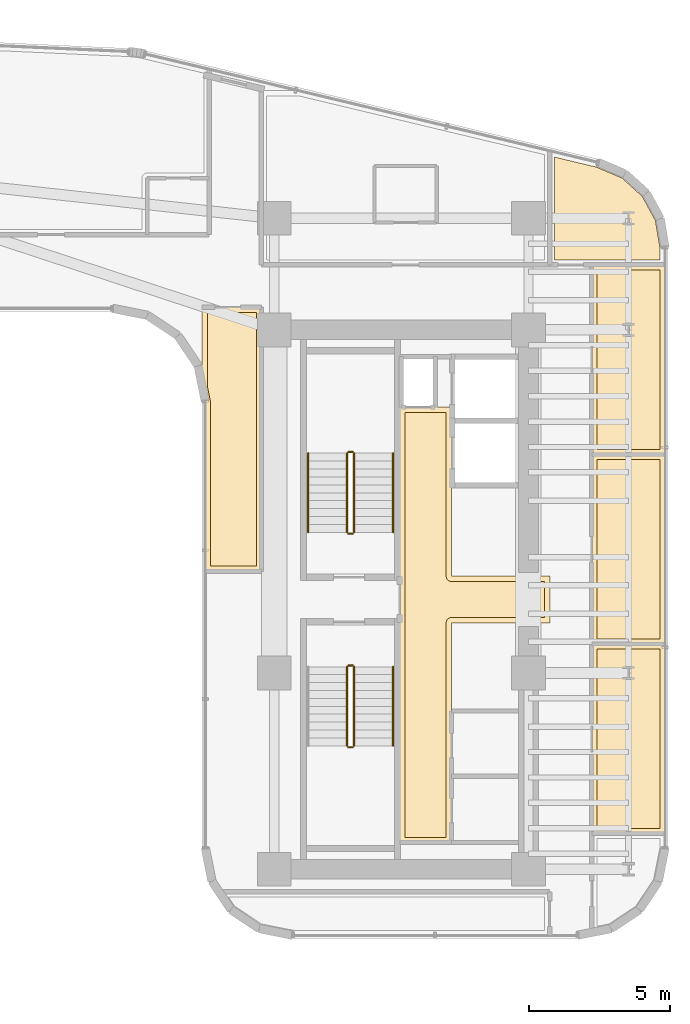
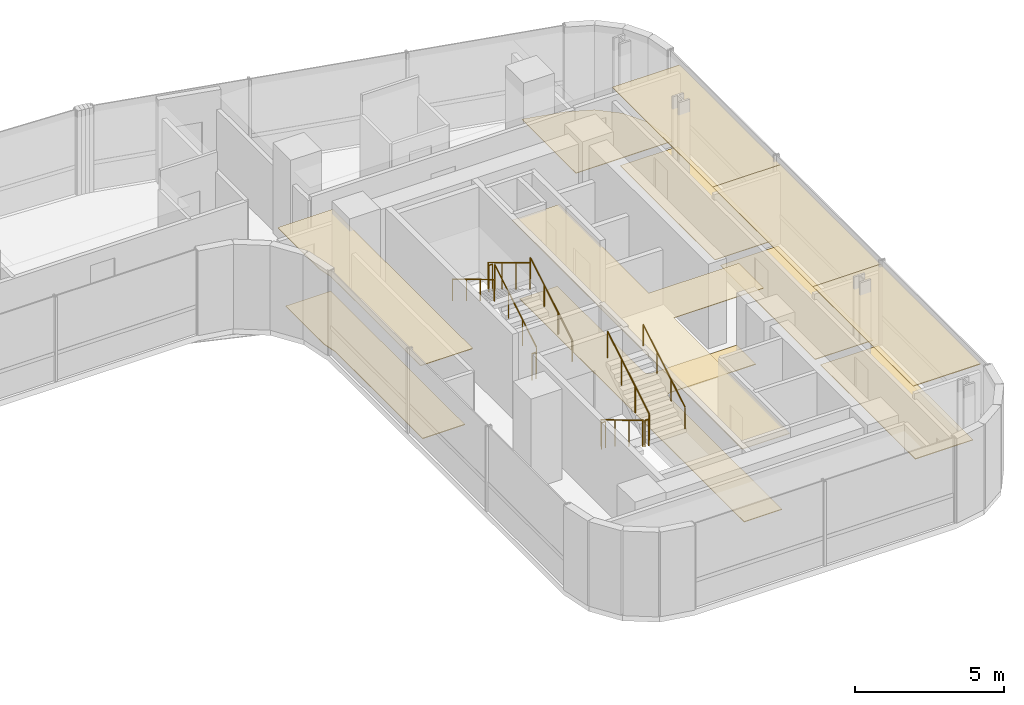
# One storey, part 34 of 35: 11 coverings, 11 railings.
"""IFC4 building model written with IfcOpenShell, lengths in metres."""

import ifcopenshell
import ifcopenshell.guid

model = None  # the IFC model being written
_history = None  # IfcOwnerHistory: only IFC2X3 demands one
_inside = {}  # id of a spatial element -> (the spatial element, [elements in it])
_under = {}  # id of a project, library or spatial element -> (it, [spatial elements below it])
_declared = {}  # id of a project -> (the project, [libraries it declares])
_typed = {}  # id of a type object -> (the type object, [elements of that type])
_made_of = {}  # id of a material, layer set ... -> (it, [elements and type objects made of it])


def new_model(schema):
    """Start an empty IFC model of exactly this schema.

    Asked for "IFC4X3", IfcOpenShell would pick the latest addendum, in which some entities
    have other attributes; the version numbers below select the first issue.
    IFC2X3 requires an IfcOwnerHistory on every rooted entity: one is made here for all.
    """
    global model, _history
    if schema == "IFC4X3":
        model = ifcopenshell.file(schema_version=(4, 3, 0, 0))
    else:
        model = ifcopenshell.file(schema=schema)
    _inside.clear()
    _under.clear()
    _declared.clear()
    _typed.clear()
    _made_of.clear()
    _history = None
    if model.schema == "IFC2X3":
        org = make("IfcOrganization", Name="unknown")
        user = make(
            "IfcPersonAndOrganization",
            ThePerson=make("IfcPerson", FamilyName="unknown"),
            TheOrganization=org,
        )
        app = make(
            "IfcApplication",
            ApplicationDeveloper=org,
            Version="unknown",
            ApplicationFullName="unknown",
            ApplicationIdentifier="unknown",
        )
        _history = make(
            "IfcOwnerHistory",
            OwningUser=user,
            OwningApplication=app,
            ChangeAction="ADDED",
            CreationDate=0,
        )
    return model


def make(cls, **values):
    """One entity of the class cls with the attributes given. An attribute that is None is left unset."""
    return model.create_entity(
        cls, **{name: value for name, value in values.items() if value is not None}
    )


def rooted(cls, **values):
    """An entity with a GlobalId (a new one), such as an element, a storey or a relation."""
    return make(cls, GlobalId=ifcopenshell.guid.new(), OwnerHistory=_history, **values)


def si_unit(unit_type, name, prefix=None):
    """IfcSIUnit, for example si_unit("LENGTHUNIT", "METRE", prefix="MILLI")."""
    return make("IfcSIUnit", UnitType=unit_type, Prefix=prefix, Name=name)


def assignment(units):
    """IfcUnitAssignment: the units of a project."""
    return None if units is None else make("IfcUnitAssignment", Units=units)


def point(xyz):
    """IfcCartesianPoint."""
    return None if xyz is None else make("IfcCartesianPoint", Coordinates=xyz)


def direction(xyz):
    """IfcDirection."""
    return None if xyz is None else make("IfcDirection", DirectionRatios=xyz)


def frame(location, z_axis=None, x_axis=None):
    """IfcAxis2Placement3D, a coordinate frame: its origin and axes. An axis left out is left unset."""
    return make(
        "IfcAxis2Placement3D",
        Location=point(location),
        Axis=direction(z_axis),
        RefDirection=direction(x_axis),
    )


def frame_2d(location, x_axis=None):
    """IfcAxis2Placement2D, a coordinate frame in the plane: its origin and x axis."""
    return make(
        "IfcAxis2Placement2D", Location=point(location), RefDirection=direction(x_axis)
    )


def origin():
    """The frame at (0, 0, 0) with its axes left unset."""
    return frame((0.0, 0.0, 0.0))


def origin_2d():
    """The frame at (0, 0) in the plane with its x axis left unset."""
    return frame_2d((0.0, 0.0))


def place(relative_to, where):
    """IfcLocalPlacement: puts the frame where relative to a parent placement (None: the world)."""
    return make(
        "IfcLocalPlacement", PlacementRelTo=relative_to, RelativePlacement=where
    )


def context(
    kind, dimensions, precision=None, world=None, true_north=None, identifier=None
):
    """IfcGeometricRepresentationContext, for example the 3D "Model" context."""
    return make(
        "IfcGeometricRepresentationContext",
        ContextIdentifier=identifier,
        ContextType=kind,
        CoordinateSpaceDimension=dimensions,
        Precision=precision,
        WorldCoordinateSystem=world,
        TrueNorth=true_north,
    )


def subcontext(parent, identifier, kind, view, scale=None):
    """IfcGeometricRepresentationSubContext, for example "Body" below "Model"."""
    return make(
        "IfcGeometricRepresentationSubContext",
        ContextIdentifier=identifier,
        ContextType=kind,
        ParentContext=parent,
        TargetScale=scale,
        TargetView=view,
    )


def project(units=None, contexts=None):
    """IfcProject with its units and contexts."""
    return rooted(
        "IfcProject",
        Name="project",
        RepresentationContexts=contexts,
        UnitsInContext=assignment(units),
    )


def spatial(cls, under=None, at=None, **own):
    """A site, building, storey or space (cls), placed at a placement, below another one or the project."""
    s = rooted(cls, ObjectPlacement=at, **own)
    if under is not None:
        _under.setdefault(under.id(), (under, []))[1].append(s)
    return s


def polyline(points):
    """IfcPolyline through the points."""
    return make("IfcPolyline", Points=[point(p) for p in points])


def profile(cls, at=None, kind="AREA", **sizes):
    """A parametric profile (cls). Its sizes go by their IFC names, for example OverallWidth=200.0."""
    return make(cls, ProfileType=kind, Position=at, **sizes)


def circle(**sizes):
    """IfcCircleProfileDef."""
    return profile("IfcCircleProfileDef", **sizes)


def outline(outer, holes=None, kind="AREA"):
    """IfcArbitraryClosedProfileDef: a profile drawn as a closed curve; with holes, ...WithVoids."""
    if holes is None:
        return make("IfcArbitraryClosedProfileDef", ProfileType=kind, OuterCurve=outer)
    return make(
        "IfcArbitraryProfileDefWithVoids",
        ProfileType=kind,
        OuterCurve=outer,
        InnerCurves=holes,
    )


def extrude(swept, where, along, depth):
    """IfcExtrudedAreaSolid: the profile swept, set in the frame where, extruded along a direction by depth."""
    return make(
        "IfcExtrudedAreaSolid",
        SweptArea=swept,
        Position=where,
        ExtrudedDirection=direction(along),
        Depth=depth,
    )


def shape(context_of_items, identifier, shape_type, items):
    """IfcShapeRepresentation: the items that make up one representation, for example the "Body"."""
    return make(
        "IfcShapeRepresentation",
        ContextOfItems=context_of_items,
        RepresentationIdentifier=identifier,
        RepresentationType=shape_type,
        Items=items,
    )


def material(Name=None, Category=None):
    """IfcMaterial."""
    return make("IfcMaterial", Name=Name, Category=Category)


def layer(
    of_material, thickness, ventilated=None, Name=None, Category=None, Priority=None
):
    """IfcMaterialLayer: one layer of a wall or slab, of a material (None: an air gap)."""
    return make(
        "IfcMaterialLayer",
        Material=of_material,
        LayerThickness=thickness,
        IsVentilated=ventilated,
        Name=Name,
        Category=Category,
        Priority=Priority,
    )


def layer_set(layers, Name=None):
    """IfcMaterialLayerSet."""
    return make("IfcMaterialLayerSet", MaterialLayers=layers, LayerSetName=Name)


def made_of(thing, what):
    """Note that an element or type object is made of a material, layer set ...; save() writes the relation."""
    if what is not None:
        _made_of.setdefault(what.id(), (what, []))[1].append(thing)
    return thing


def type_object(cls, material=None, **own):
    """A type object (cls), such as IfcWallType, which elements share."""
    return made_of(rooted(cls, **own), material)


def element(
    cls,
    number,
    at=None,
    inside=None,
    cuts=None,
    type_object=None,
    material=None,
    context=None,
    identifier="Body",
    shape_type=None,
    held_by="IfcProductDefinitionShape",
    body=None,
    shapes=None,
    **own,
):
    """One element of the class cls, such as IfcWall. Its Tag is "e" and its number.

    at: its placement. inside: the storey or other place that contains it. cuts: it is an
    opening in that element (IfcRelVoidsElement). A single representation is given by context,
    identifier, shape_type and body (its items); several are given by shapes. held_by: the class
    of the entity that holds the representations. save() writes the other relations.
    """
    e = rooted(cls, Tag="e%d" % number, ObjectPlacement=at, **own)
    if body is not None:
        shapes = [shape(context, identifier, shape_type, body)]
    if shapes is not None:
        e.Representation = make(held_by, Representations=shapes)
    if inside is not None:
        _inside.setdefault(inside.id(), (inside, []))[1].append(e)
    if cuts is not None:
        rooted(
            "IfcRelVoidsElement", RelatingBuildingElement=cuts, RelatedOpeningElement=e
        )
    if type_object is not None:
        _typed.setdefault(type_object.id(), (type_object, []))[1].append(e)
    return made_of(e, material)


def aggregate(whole, parts):
    """IfcRelAggregates: a whole, such as a stair, and the parts it consists of."""
    return rooted("IfcRelAggregates", RelatingObject=whole, RelatedObjects=parts)


def save(model, path):
    """Write the relations noted so far, then the file.

    IfcRelAggregates (storeys below a building ...), IfcRelContainedInSpatialStructure (elements
    in a storey), IfcRelDefinesByType, IfcRelAssociatesMaterial and IfcRelDeclares: one each for
    every whole, place, type object, material and project.
    """
    for whole, parts in _under.values():
        aggregate(whole, parts)
    for where, things in _inside.values():
        rooted(
            "IfcRelContainedInSpatialStructure",
            RelatedElements=things,
            RelatingStructure=where,
        )
    for kind, things in _typed.values():
        rooted("IfcRelDefinesByType", RelatedObjects=things, RelatingType=kind)
    for what, things in _made_of.values():
        rooted("IfcRelAssociatesMaterial", RelatedObjects=things, RelatingMaterial=what)
    for by, libraries in _declared.values():
        rooted("IfcRelDeclares", RelatingContext=by, RelatedDefinitions=libraries)
    model.write(path)


model = new_model("IFC4")

# Units and contexts
model_context = context("Model", 3, precision=1e-05, world=origin(), true_north=direction((0.0, 1.0)))
body_context = subcontext(model_context, "Body", "Model", "MODEL_VIEW")
ifc_project = project(units=[si_unit("LENGTHUNIT", "METRE"), si_unit("AREAUNIT", "SQUARE_METRE"), si_unit("VOLUMEUNIT", "CUBIC_METRE"), si_unit("PLANEANGLEUNIT", "RADIAN"), si_unit("MASSUNIT", "GRAM", prefix="KILO")], contexts=[model_context])

# Site, building, storey
site_placement = place(None, origin())
site = spatial("IfcSite", under=ifc_project, at=site_placement, CompositionType="ELEMENT")
building_placement = place(site_placement, origin())
building = spatial("IfcBuilding", under=site, at=building_placement, Name="Valdorenza Pilgrim Sanctuary Tower", CompositionType="ELEMENT")
storey_placement = place(building_placement, frame((0.0, 0.0, 116.800048828125)))
storey = spatial("IfcBuildingStorey", under=building, at=storey_placement, Name="L29", CompositionType="ELEMENT", Elevation=116.800048828125)

# Coverings
ifc_material_1 = material(Name="Micro-perforated acoustic mineral ceiling tile", Category="gypsum")
ifc_layer_1 = layer(ifc_material_1, 0.02490234375, Name="Micro-perforated acoustic mineral ceiling tile")
ifc_layer_set_1 = layer_set([ifc_layer_1], Name="Micro-perforated acoustic mineral ceiling tile")
covering_type_1 = type_object("IfcCoveringType", Name="COV-CLG-ACU", PredefinedType="CEILING", material=ifc_layer_set_1)
covering_1_placement = place(storey_placement, frame((0.0, 0.0, 3.159912109375)))
element("IfcCovering", 1, at=covering_1_placement, inside=storey, type_object=covering_type_1, Name="L29 Core B Passenger Lift Lobby Acoustic Ceiling", PredefinedType="CEILING", context=body_context, shape_type="SweptSolid", body=[
    extrude(outline(polyline([(20.287109375, -0.814697265625), (20.287109375, 0.814697265625), (20.28662109375, 0.815185546875), (20.2861328125, 0.81640625), (20.28564453125, 0.81787109375), (20.285400390625, 0.819091796875), (20.28515625, 0.820556640625), (20.284912109375, 0.822021484375), (20.284912109375, 6.800048828125), (20.28515625, 6.801513671875), (20.285400390625, 6.802978515625), (20.28564453125, 6.804443359375), (20.2861328125, 6.8056640625), (20.286865234375, 6.80712890625), (20.28759765625, 6.808349609375), (20.288330078125, 6.8095703125), (20.289306640625, 6.810546875), (20.29052734375, 6.8115234375), (20.291748046875, 6.8125), (20.29296875, 6.813232421875), (20.294189453125, 6.81396484375), (20.295654296875, 6.814453125), (20.297119140625, 6.814697265625), (20.298583984375, 6.81494140625), (20.300048828125, 6.81494140625), (20.347900390625, 6.81494140625), (20.349365234375, 6.81494140625), (20.350830078125, 6.814697265625), (20.352294921875, 6.814453125), (20.353515625, 6.81396484375), (20.35498046875, 6.813232421875), (20.35546875, 6.81298828125), (21.544677734375, 6.81298828125), (21.545166015625, 6.813232421875), (21.54638671875, 6.81396484375), (21.5478515625, 6.814453125), (21.54931640625, 6.814697265625), (21.550537109375, 6.81494140625), (21.552001953125, 6.81494140625), (22.1201171875, 6.81494140625), (22.12158203125, 6.81494140625), (22.122802734375, 6.814697265625), (22.12451171875, 6.814453125), (22.125732421875, 6.81396484375), (22.127197265625, 6.813232421875), (22.12841796875, 6.8125), (22.12939453125, 6.8115234375), (22.130615234375, 6.810546875), (22.131591796875, 6.8095703125), (22.132568359375, 6.808349609375), (22.13330078125, 6.80712890625), (22.1337890625, 6.8056640625), (22.134521484375, 6.804443359375), (22.134765625, 6.802978515625), (22.135009765625, 6.801513671875), (22.135009765625, 6.800048828125), (22.135009765625, 0.8349609375), (25.60009765625, 0.8349609375), (25.6015625, 0.8349609375), (25.602783203125, 0.834716796875), (25.6044921875, 0.83447265625), (25.605712890625, 0.833984375), (25.607177734375, 0.833251953125), (25.6083984375, 0.83251953125), (25.609619140625, 0.83154296875), (25.610595703125, 0.83056640625), (25.611572265625, 0.82958984375), (25.612548828125, 0.828369140625), (25.61328125, 0.8271484375), (25.614013671875, 0.82568359375), (25.614501953125, 0.824462890625), (25.61474609375, 0.822998046875), (25.614990234375, 0.821533203125), (25.614990234375, 0.820068359375), (25.614990234375, -0.820068359375), (25.614990234375, -0.821533203125), (25.61474609375, -0.822998046875), (25.614501953125, -0.824462890625), (25.614013671875, -0.82568359375), (25.61328125, -0.8271484375), (25.612548828125, -0.828369140625), (25.611572265625, -0.82958984375), (25.610595703125, -0.83056640625), (25.609619140625, -0.83154296875), (25.6083984375, -0.83251953125), (25.607177734375, -0.833251953125), (25.605712890625, -0.833984375), (25.6044921875, -0.83447265625), (25.602783203125, -0.834716796875), (25.6015625, -0.8349609375), (25.60009765625, -0.8349609375), (22.135009765625, -0.8349609375), (22.135009765625, -8.60009765625), (22.135009765625, -8.6015625), (22.134765625, -8.602783203125), (22.134521484375, -8.6044921875), (22.1337890625, -8.605712890625), (22.13330078125, -8.607177734375), (22.132568359375, -8.6083984375), (22.131591796875, -8.609619140625), (22.130615234375, -8.610595703125), (22.12939453125, -8.611572265625), (22.12841796875, -8.612548828125), (22.127197265625, -8.61328125), (22.125732421875, -8.614013671875), (22.12451171875, -8.614501953125), (22.122802734375, -8.61474609375), (22.12158203125, -8.614990234375), (22.1201171875, -8.614990234375), (20.300048828125, -8.614990234375), (20.298583984375, -8.614990234375), (20.297119140625, -8.61474609375), (20.295654296875, -8.614501953125), (20.294189453125, -8.614013671875), (20.29296875, -8.61328125), (20.291748046875, -8.612548828125), (20.29052734375, -8.611572265625), (20.289306640625, -8.610595703125), (20.288330078125, -8.609619140625), (20.28759765625, -8.6083984375), (20.286865234375, -8.607177734375), (20.2861328125, -8.605712890625), (20.28564453125, -8.6044921875), (20.285400390625, -8.602783203125), (20.28515625, -8.6015625), (20.284912109375, -8.60009765625), (20.284912109375, -0.822021484375), (20.28515625, -0.820556640625), (20.285400390625, -0.819091796875), (20.28564453125, -0.81787109375), (20.2861328125, -0.81640625), (20.28662109375, -0.815185546875), (20.287109375, -0.814697265625)])), origin(), (0.0, 0.0, 1.0), 0.025146484375),
])
covering_2_placement = place(storey_placement, frame((0.0, 0.0, 3.159912109375)))
element("IfcCovering", 2, at=covering_2_placement, inside=storey, type_object=covering_type_1, Name="L29 East Sanctuary Scholar Office L29-EG2 Acoustic Ceiling", PredefinedType="CEILING", context=body_context, shape_type="SweptSolid", body=[
    extrude(outline(polyline([(27.0849609375, -1.574951171875), (27.085205078125, -1.573486328125), (27.085205078125, -1.572021484375), (27.085693359375, -1.570556640625), (27.086181640625, -1.5693359375), (27.0869140625, -1.56787109375), (27.08740234375, -1.566650390625), (27.08837890625, -1.5654296875), (27.08935546875, -1.564453125), (27.090576171875, -1.5634765625), (27.091796875, -1.5625), (27.093017578125, -1.561767578125), (27.09423828125, -1.56103515625), (27.095703125, -1.560546875), (27.09716796875, -1.560302734375), (27.098388671875, -1.56005859375), (27.10009765625, -1.56005859375), (29.68994140625, -1.56005859375), (29.69140625, -1.56005859375), (29.69287109375, -1.560302734375), (29.6943359375, -1.560546875), (29.69580078125, -1.56103515625), (29.697021484375, -1.561767578125), (29.6982421875, -1.5625), (29.699462890625, -1.5634765625), (29.70068359375, -1.564453125), (29.70166015625, -1.5654296875), (29.702392578125, -1.566650390625), (29.703125, -1.56787109375), (29.703857421875, -1.5693359375), (29.704345703125, -1.570556640625), (29.70458984375, -1.572021484375), (29.704833984375, -1.573486328125), (29.705078125, -1.574951171875), (29.705078125, -8.284912109375), (29.704833984375, -8.28662109375), (29.70458984375, -8.287841796875), (29.704345703125, -8.289306640625), (29.703857421875, -8.290771484375), (29.703125, -8.2919921875), (29.702392578125, -8.293212890625), (29.70166015625, -8.29443359375), (29.70068359375, -8.295654296875), (29.699462890625, -8.296630859375), (29.6982421875, -8.297607421875), (29.697021484375, -8.298095703125), (29.69580078125, -8.298828125), (29.6943359375, -8.29931640625), (29.69287109375, -8.2998046875), (29.69140625, -8.2998046875), (29.68994140625, -8.300048828125), (27.10009765625, -8.300048828125), (27.098388671875, -8.2998046875), (27.09716796875, -8.2998046875), (27.095703125, -8.29931640625), (27.09423828125, -8.298828125), (27.093017578125, -8.298095703125), (27.091796875, -8.297607421875), (27.090576171875, -8.296630859375), (27.08935546875, -8.295654296875), (27.08837890625, -8.29443359375), (27.08740234375, -8.293212890625), (27.0869140625, -8.2919921875), (27.086181640625, -8.290771484375), (27.085693359375, -8.289306640625), (27.085205078125, -8.287841796875), (27.085205078125, -8.28662109375), (27.0849609375, -8.284912109375), (27.0849609375, -1.574951171875)])), origin(), (0.0, 0.0, 1.0), 0.025146484375),
])
covering_3_placement = place(storey_placement, frame((0.0, 0.0, 3.159912109375)))
element("IfcCovering", 3, at=covering_3_placement, inside=storey, type_object=covering_type_1, Name="L29 East Sanctuary Scholar Office L29-EG3 Acoustic Ceiling", PredefinedType="CEILING", context=body_context, shape_type="SweptSolid", body=[
    extrude(outline(polyline([(27.0849609375, 5.137939453125), (27.085205078125, 5.139404296875), (27.085205078125, 5.140869140625), (27.085693359375, 5.142333984375), (27.086181640625, 5.143798828125), (27.0869140625, 5.14501953125), (27.08740234375, 5.146240234375), (27.08837890625, 5.1474609375), (27.08935546875, 5.148681640625), (27.090576171875, 5.149658203125), (27.091796875, 5.150390625), (27.093017578125, 5.151123046875), (27.09423828125, 5.15185546875), (27.095703125, 5.15234375), (27.09716796875, 5.152587890625), (27.098388671875, 5.15283203125), (27.10009765625, 5.153076171875), (29.68994140625, 5.153076171875), (29.69140625, 5.15283203125), (29.69287109375, 5.152587890625), (29.6943359375, 5.15234375), (29.69580078125, 5.15185546875), (29.697021484375, 5.151123046875), (29.6982421875, 5.150390625), (29.699462890625, 5.149658203125), (29.70068359375, 5.148681640625), (29.70166015625, 5.1474609375), (29.702392578125, 5.146240234375), (29.703125, 5.14501953125), (29.703857421875, 5.143798828125), (29.704345703125, 5.142333984375), (29.70458984375, 5.140869140625), (29.704833984375, 5.139404296875), (29.705078125, 5.137939453125), (29.705078125, -1.572998046875), (29.704833984375, -1.574462890625), (29.70458984375, -1.575927734375), (29.704345703125, -1.577392578125), (29.703857421875, -1.57861328125), (29.703125, -1.580078125), (29.702392578125, -1.581298828125), (29.70166015625, -1.58251953125), (29.70068359375, -1.58349609375), (29.699462890625, -1.584716796875), (29.6982421875, -1.58544921875), (29.697021484375, -1.586181640625), (29.69580078125, -1.5869140625), (29.6943359375, -1.58740234375), (29.69287109375, -1.587646484375), (29.69140625, -1.587890625), (29.68994140625, -1.587890625), (27.10009765625, -1.587890625), (27.098388671875, -1.587890625), (27.09716796875, -1.587646484375), (27.095703125, -1.58740234375), (27.09423828125, -1.5869140625), (27.093017578125, -1.586181640625), (27.091796875, -1.58544921875), (27.090576171875, -1.584716796875), (27.08935546875, -1.58349609375), (27.08837890625, -1.58251953125), (27.08740234375, -1.581298828125), (27.0869140625, -1.580078125), (27.086181640625, -1.57861328125), (27.085693359375, -1.577392578125), (27.085205078125, -1.575927734375), (27.085205078125, -1.574462890625), (27.0849609375, -1.572998046875), (27.0849609375, 5.137939453125)])), origin(), (0.0, 0.0, 1.0), 0.025146484375),
])
covering_4_placement = place(storey_placement, frame((0.0, 0.0, 3.159912109375)))
element("IfcCovering", 4, at=covering_4_placement, inside=storey, type_object=covering_type_1, Name="L29 East Sanctuary Scholar Office L29-EG4 Acoustic Ceiling", PredefinedType="CEILING", context=body_context, shape_type="SweptSolid", body=[
    extrude(outline(polyline([(27.0849609375, 11.847900390625), (27.085205078125, 11.849609375), (27.085205078125, 11.850830078125), (27.085693359375, 11.852294921875), (27.086181640625, 11.853759765625), (27.0869140625, 11.85498046875), (27.08740234375, 11.856201171875), (27.08837890625, 11.857421875), (27.08935546875, 11.858642578125), (27.090576171875, 11.859619140625), (27.091796875, 11.860595703125), (27.093017578125, 11.861083984375), (27.09423828125, 11.86181640625), (27.095703125, 11.8623046875), (27.09716796875, 11.86279296875), (27.098388671875, 11.86279296875), (27.10009765625, 11.863037109375), (29.68994140625, 11.863037109375), (29.69140625, 11.86279296875), (29.69287109375, 11.86279296875), (29.6943359375, 11.8623046875), (29.69580078125, 11.86181640625), (29.697021484375, 11.861083984375), (29.6982421875, 11.860595703125), (29.699462890625, 11.859619140625), (29.70068359375, 11.858642578125), (29.70166015625, 11.857421875), (29.702392578125, 11.856201171875), (29.703125, 11.85498046875), (29.703857421875, 11.853759765625), (29.704345703125, 11.852294921875), (29.70458984375, 11.850830078125), (29.704833984375, 11.849609375), (29.705078125, 11.847900390625), (29.705078125, 5.139892578125), (29.704833984375, 5.138427734375), (29.70458984375, 5.13720703125), (29.704345703125, 5.135498046875), (29.703857421875, 5.13427734375), (29.703125, 5.1328125), (29.702392578125, 5.131591796875), (29.70166015625, 5.130615234375), (29.70068359375, 5.12939453125), (29.699462890625, 5.12841796875), (29.6982421875, 5.12744140625), (29.697021484375, 5.126708984375), (29.69580078125, 5.126220703125), (29.6943359375, 5.12548828125), (29.69287109375, 5.125244140625), (29.69140625, 5.125), (29.68994140625, 5.125), (27.10009765625, 5.125), (27.098388671875, 5.125), (27.09716796875, 5.125244140625), (27.095703125, 5.12548828125), (27.09423828125, 5.126220703125), (27.093017578125, 5.126708984375), (27.091796875, 5.12744140625), (27.090576171875, 5.12841796875), (27.08935546875, 5.12939453125), (27.08837890625, 5.130615234375), (27.08740234375, 5.131591796875), (27.0869140625, 5.1328125), (27.086181640625, 5.13427734375), (27.085693359375, 5.135498046875), (27.085205078125, 5.13720703125), (27.085205078125, 5.138427734375), (27.0849609375, 5.139892578125), (27.0849609375, 11.847900390625)])), origin(), (0.0, 0.0, 1.0), 0.025146484375),
])
covering_5_placement = place(storey_placement, frame((0.0, 0.0, 3.159912109375)))
element("IfcCovering", 5, at=covering_5_placement, inside=storey, type_object=covering_type_1, Name="L29 Courtyard Overlook Salon L29 Acoustic Ceiling", PredefinedType="CEILING", context=body_context, shape_type="SweptSolid", body=[
    extrude(outline(polyline([(15.39990234375, 10.364990234375), (15.401611328125, 10.364990234375), (15.40283203125, 10.36474609375), (15.404296875, 10.364501953125), (15.40576171875, 10.364013671875), (15.406982421875, 10.36328125), (15.408203125, 10.362548828125), (15.409423828125, 10.361572265625), (15.41064453125, 10.360595703125), (15.41162109375, 10.359619140625), (15.41259765625, 10.3583984375), (15.4130859375, 10.357177734375), (15.413818359375, 10.355712890625), (15.414306640625, 10.3544921875), (15.414794921875, 10.352783203125), (15.414794921875, 10.3515625), (15.4150390625, 10.35009765625), (15.4150390625, 1.0), (15.414794921875, 0.99853515625), (15.414794921875, 0.9970703125), (15.414306640625, 0.99560546875), (15.413818359375, 0.994384765625), (15.4130859375, 0.992919921875), (15.41259765625, 0.99169921875), (15.41162109375, 0.990478515625), (15.41064453125, 0.989501953125), (15.409423828125, 0.98828125), (15.408203125, 0.987548828125), (15.406982421875, 0.98681640625), (15.40576171875, 0.986083984375), (15.404296875, 0.985595703125), (15.40283203125, 0.9853515625), (15.401611328125, 0.985107421875), (15.39990234375, 0.985107421875), (13.409912109375, 0.985107421875), (13.408447265625, 0.985107421875), (13.406982421875, 0.9853515625), (13.405517578125, 0.985595703125), (13.404296875, 0.986083984375), (13.40283203125, 0.98681640625), (13.401611328125, 0.987548828125), (13.400390625, 0.98828125), (13.3994140625, 0.989501953125), (13.3984375, 0.990478515625), (13.3974609375, 0.99169921875), (13.396728515625, 0.992919921875), (13.39599609375, 0.994384765625), (13.3955078125, 0.99560546875), (13.395263671875, 0.9970703125), (13.39501953125, 0.99853515625), (13.39501953125, 1.0), (13.39501953125, 6.99951171875), (13.39453125, 7.00927734375), (13.39306640625, 7.018798828125), (13.285400390625, 7.560791015625), (13.28515625, 7.562255859375), (13.284912109375, 7.563720703125), (13.284912109375, 10.35009765625), (13.28515625, 10.3515625), (13.285400390625, 10.352783203125), (13.28564453125, 10.3544921875), (13.2861328125, 10.355712890625), (13.286865234375, 10.357177734375), (13.28759765625, 10.3583984375), (13.288330078125, 10.359619140625), (13.289306640625, 10.360595703125), (13.29052734375, 10.361572265625), (13.291748046875, 10.362548828125), (13.29296875, 10.36328125), (13.294189453125, 10.364013671875), (13.295654296875, 10.364501953125), (13.297119140625, 10.36474609375), (13.298583984375, 10.364990234375), (13.300048828125, 10.364990234375), (15.39990234375, 10.364990234375)])), origin(), (0.0, 0.0, 1.0), 0.025146484375),
])
ifc_material_2 = material(Name="Honed travertine stone flooring", Category="masonry")
ifc_layer_2 = layer(ifc_material_2, 0.030029296875, Name="Honed travertine stone flooring")
ifc_layer_set_2 = layer_set([ifc_layer_2], Name="Honed travertine stone flooring")
covering_type_2 = type_object("IfcCoveringType", Name="COV-FLR-TRV", PredefinedType="FLOORING", material=ifc_layer_set_2)
covering_6_placement = place(storey_placement, origin())
element("IfcCovering", 6, at=covering_6_placement, inside=storey, type_object=covering_type_2, Name="L29 Core B Passenger Lift Lobby Flooring", PredefinedType="FLOORING", context=body_context, shape_type="SweptSolid", body=[
    extrude(outline(polyline([(20.47998046875, 6.617919921875), (21.550048828125, 6.617919921875), (21.550537109375, 6.617919921875), (21.93994140625, 6.619384765625), (21.93994140625, 0.820068359375), (21.94091796875, 0.802490234375), (21.943603515625, 0.784912109375), (21.94775390625, 0.767578125), (21.95361328125, 0.751220703125), (21.961181640625, 0.735107421875), (21.97021484375, 0.719970703125), (21.98095703125, 0.705810546875), (21.99267578125, 0.692626953125), (22.005859375, 0.680908203125), (22.02001953125, 0.67041015625), (22.03515625, 0.661376953125), (22.051025390625, 0.65380859375), (22.067626953125, 0.647705078125), (22.0849609375, 0.6435546875), (22.102294921875, 0.640869140625), (22.1201171875, 0.639892578125), (25.419921875, 0.639892578125), (25.419921875, -0.639892578125), (22.1201171875, -0.639892578125), (22.102294921875, -0.640869140625), (22.0849609375, -0.6435546875), (22.067626953125, -0.647705078125), (22.051025390625, -0.65380859375), (22.03515625, -0.661376953125), (22.02001953125, -0.67041015625), (22.005859375, -0.680908203125), (21.99267578125, -0.692626953125), (21.98095703125, -0.705810546875), (21.97021484375, -0.719970703125), (21.961181640625, -0.735107421875), (21.95361328125, -0.751220703125), (21.94775390625, -0.767578125), (21.943603515625, -0.784912109375), (21.94091796875, -0.802490234375), (21.93994140625, -0.820068359375), (21.93994140625, -8.419921875), (20.47998046875, -8.419921875), (20.47998046875, -0.846923828125), (20.47998046875, -0.8466796875), (20.47998046875, -0.8466796875), (20.481689453125, -0.8291015625), (20.481689453125, -0.828857421875), (20.48193359375, -0.820068359375), (20.48193359375, 0.820068359375), (20.47998046875, 6.617919921875)])), origin(), (0.0, 0.0, 1.0), 0.02490234375),
])
covering_7_placement = place(storey_placement, origin())
element("IfcCovering", 7, at=covering_7_placement, inside=storey, type_object=covering_type_2, Name="L29 East Wing Reference Library L29-BNE Flooring", PredefinedType="FLOORING", context=body_context, shape_type="SweptSolid", body=[
    extrude(outline(polyline([(27.25390625, 15.311279296875), (28.16552734375, 14.923583984375), (28.88134765625, 14.275390625), (29.345458984375, 13.427978515625), (29.510009765625, 12.451416015625), (29.510009765625, 12.030029296875), (25.781982421875, 12.030029296875), (25.781982421875, 15.66357421875), (27.25390625, 15.311279296875)])), origin(), (0.0, 0.0, 1.0), 0.02490234375),
])
covering_8_placement = place(storey_placement, origin())
element("IfcCovering", 8, at=covering_8_placement, inside=storey, type_object=covering_type_2, Name="L29 East Sanctuary Scholar Office L29-EG2 Flooring", PredefinedType="FLOORING", context=body_context, shape_type="SweptSolid", body=[
    extrude(outline(polyline([(27.280029296875, -1.7548828125), (29.510009765625, -1.7548828125), (29.510009765625, -8.10498046875), (27.280029296875, -8.10498046875), (27.280029296875, -1.7548828125)])), origin(), (0.0, 0.0, 1.0), 0.02490234375),
])
covering_9_placement = place(storey_placement, origin())
element("IfcCovering", 9, at=covering_9_placement, inside=storey, type_object=covering_type_2, Name="L29 East Sanctuary Scholar Office L29-EG3 Flooring", PredefinedType="FLOORING", context=body_context, shape_type="SweptSolid", body=[
    extrude(outline(polyline([(27.280029296875, 4.9580078125), (29.510009765625, 4.9580078125), (29.510009765625, -1.39306640625), (27.280029296875, -1.39306640625), (27.280029296875, 4.9580078125)])), origin(), (0.0, 0.0, 1.0), 0.02490234375),
])
covering_10_placement = place(storey_placement, origin())
element("IfcCovering", 10, at=covering_10_placement, inside=storey, type_object=covering_type_2, Name="L29 East Sanctuary Scholar Office L29-EG4 Flooring", PredefinedType="FLOORING", context=body_context, shape_type="SweptSolid", body=[
    extrude(outline(polyline([(27.280029296875, 11.66796875), (29.510009765625, 11.66796875), (29.510009765625, 5.320068359375), (27.280029296875, 5.320068359375), (27.280029296875, 11.66796875)])), origin(), (0.0, 0.0, 1.0), 0.02490234375),
])
covering_11_placement = place(storey_placement, origin())
element("IfcCovering", 11, at=covering_11_placement, inside=storey, type_object=covering_type_2, Name="L29 Courtyard Overlook Salon L29 Flooring", PredefinedType="FLOORING", context=body_context, shape_type="SweptSolid", body=[
    extrude(outline(polyline([(15.219970703125, 10.169921875), (15.219970703125, 1.179931640625), (13.590087890625, 1.179931640625), (13.590087890625, 7.0), (13.58984375, 7.0087890625), (13.58935546875, 7.01953125), (13.58740234375, 7.037109375), (13.5859375, 7.0478515625), (13.58447265625, 7.056640625), (13.47998046875, 7.58154296875), (13.47998046875, 10.169921875), (15.219970703125, 10.169921875)])), origin(), (0.0, 0.0, 1.0), 0.02490234375),
])

# Railings
ifc_material_3 = material(Name="Stainless steel Grade 316", Category="steel")
railing_type_1 = type_object("IfcRailingType", Name="RLG-GRD-1120", PredefinedType="GUARDRAIL", material=ifc_material_3)
railing_1_placement = place(storey_placement, frame((18.679931640625, 2.3798828125, 0.168212890625)))
element("IfcRailing", 12, at=railing_1_placement, inside=storey, type_object=railing_type_1, Name="L29 ST-B1 stair guard 1", PredefinedType="GUARDRAIL", context=body_context, shape_type="SweptSolid", body=[
    extrude(circle(Radius=0.02392578125, at=origin_2d()), frame((0.0, 0.0, 1.076171875), z_axis=(0.0, 0.857275202839, 0.514858452973), x_axis=(-1.0, 0.0, 0.0)), (0.0, 0.0, 1.0), 3.26611328125),
    extrude(circle(Radius=0.02099609375, at=origin_2d()), origin(), (0.0, 0.0, 1.0), 1.052001953125),
    extrude(circle(Radius=0.02099609375, at=origin_2d()), frame((0.0, 0.933349609375, 0.560546875)), (0.0, 0.0, 1.0), 1.052001953125),
    extrude(circle(Radius=0.02099609375, at=origin_2d()), frame((0.0, 1.86669921875, 1.12109375)), (0.0, 0.0, 1.0), 1.052001953125),
    extrude(circle(Radius=0.02099609375, at=origin_2d()), frame((0.0, 2.800048828125, 1.681640625)), (0.0, 0.0, 1.0), 1.052001953125),
])
railing_2_placement = place(storey_placement, frame((18.6298828125, 5.22998046875, 1.849853515625)))
element("IfcRailing", 13, at=railing_2_placement, inside=storey, type_object=railing_type_1, Name="L29 ST-B1 stair guard 2", PredefinedType="GUARDRAIL", context=body_context, shape_type="SweptSolid", body=[
    extrude(circle(Radius=0.02392578125, at=origin_2d()), frame((0.0, 0.0, 1.076171875), z_axis=(-1.0, 0.0, 0.0), x_axis=(0.0, -1.0, 0.0)), (0.0, 0.0, 1.0), 0.14990234375),
    extrude(circle(Radius=0.02099609375, at=origin_2d()), origin(), (0.0, 0.0, 1.0), 1.052001953125),
    extrude(circle(Radius=0.02099609375, at=origin_2d()), frame((-0.14990234375, 0.0, 0.0)), (0.0, 0.0, 1.0), 1.052001953125),
])
railing_3_placement = place(storey_placement, frame((18.429931640625, 5.179931640625, 2.01806640625)))
element("IfcRailing", 14, at=railing_3_placement, inside=storey, type_object=railing_type_1, Name="L29 ST-B1 stair guard 3", PredefinedType="GUARDRAIL", context=body_context, shape_type="SweptSolid", body=[
    extrude(circle(Radius=0.02392578125, at=origin_2d()), frame((0.0, 0.0, 1.076171875), z_axis=(0.0, -0.857242210791, 0.514913383045), x_axis=(1.0, 0.0, 0.0)), (0.0, 0.0, 1.0), 3.266357421875),
    extrude(circle(Radius=0.02099609375, at=origin_2d()), origin(), (0.0, 0.0, 1.0), 1.052001953125),
    extrude(circle(Radius=0.02099609375, at=origin_2d()), frame((0.0, -0.933349609375, 0.560546875)), (0.0, 0.0, 1.0), 1.052001953125),
    extrude(circle(Radius=0.02099609375, at=origin_2d()), frame((0.0, -1.86669921875, 1.121337890625)), (0.0, 0.0, 1.0), 1.052001953125),
    extrude(circle(Radius=0.02099609375, at=origin_2d()), frame((0.0, -2.800048828125, 1.681884765625)), (0.0, 0.0, 1.0), 1.052001953125),
])
railing_4_placement = place(storey_placement, frame((18.6298828125, 2.330078125, 0.0)))
element("IfcRailing", 15, at=railing_4_placement, inside=storey, type_object=railing_type_1, Name="L29 ST-B1 stair guard 4", PredefinedType="GUARDRAIL", context=body_context, shape_type="SweptSolid", body=[
    extrude(circle(Radius=0.02392578125, at=origin_2d()), frame((0.0, 0.0, 1.076171875), z_axis=(-1.0, 0.0, 0.0), x_axis=(0.0, -1.0, 0.0)), (0.0, 0.0, 1.0), 0.14990234375),
    extrude(circle(Radius=0.02099609375, at=origin_2d()), origin(), (0.0, 0.0, 1.0), 1.052001953125),
    extrude(circle(Radius=0.02099609375, at=origin_2d()), frame((-0.14990234375, 0.0, 0.0)), (0.0, 0.0, 1.0), 1.052001953125),
])
railing_5_placement = place(storey_placement, frame((18.429931640625, -2.3798828125, 0.168212890625)))
element("IfcRailing", 16, at=railing_5_placement, inside=storey, type_object=railing_type_1, Name="L29 ST-B2 stair guard 1", PredefinedType="GUARDRAIL", context=body_context, shape_type="SweptSolid", body=[
    extrude(circle(Radius=0.02392578125, at=origin_2d()), frame((0.0, 0.0, 1.076171875), z_axis=(0.0, -0.857275202839, 0.514858452973), x_axis=(1.0, 0.0, 0.0)), (0.0, 0.0, 1.0), 3.26611328125),
    extrude(circle(Radius=0.02099609375, at=origin_2d()), origin(), (0.0, 0.0, 1.0), 1.052001953125),
    extrude(circle(Radius=0.02099609375, at=origin_2d()), frame((0.0, -0.933349609375, 0.560546875)), (0.0, 0.0, 1.0), 1.052001953125),
    extrude(circle(Radius=0.02099609375, at=origin_2d()), frame((0.0, -1.86669921875, 1.12109375)), (0.0, 0.0, 1.0), 1.052001953125),
    extrude(circle(Radius=0.02099609375, at=origin_2d()), frame((0.0, -2.800048828125, 1.681640625)), (0.0, 0.0, 1.0), 1.052001953125),
])
railing_6_placement = place(storey_placement, frame((18.47998046875, -5.22998046875, 1.849853515625)))
element("IfcRailing", 17, at=railing_6_placement, inside=storey, type_object=railing_type_1, Name="L29 ST-B2 stair guard 2", PredefinedType="GUARDRAIL", context=body_context, shape_type="SweptSolid", body=[
    extrude(circle(Radius=0.02392578125, at=origin_2d()), frame((0.0, 0.0, 1.076171875), z_axis=(1.0, 0.0, 0.0), x_axis=(0.0, 1.0, 0.0)), (0.0, 0.0, 1.0), 0.14990234375),
    extrude(circle(Radius=0.02099609375, at=origin_2d()), origin(), (0.0, 0.0, 1.0), 1.052001953125),
    extrude(circle(Radius=0.02099609375, at=origin_2d()), frame((0.14990234375, 0.0, 0.0)), (0.0, 0.0, 1.0), 1.052001953125),
])
railing_7_placement = place(storey_placement, frame((18.679931640625, -5.179931640625, 2.01806640625)))
element("IfcRailing", 18, at=railing_7_placement, inside=storey, type_object=railing_type_1, Name="L29 ST-B2 stair guard 3", PredefinedType="GUARDRAIL", context=body_context, shape_type="SweptSolid", body=[
    extrude(circle(Radius=0.02392578125, at=origin_2d()), frame((0.0, 0.0, 1.076171875), z_axis=(0.0, 0.857242210791, 0.514913383045), x_axis=(-1.0, 0.0, 0.0)), (0.0, 0.0, 1.0), 3.266357421875),
    extrude(circle(Radius=0.02099609375, at=origin_2d()), origin(), (0.0, 0.0, 1.0), 1.052001953125),
    extrude(circle(Radius=0.02099609375, at=origin_2d()), frame((0.0, 0.933349609375, 0.560546875)), (0.0, 0.0, 1.0), 1.052001953125),
    extrude(circle(Radius=0.02099609375, at=origin_2d()), frame((0.0, 1.86669921875, 1.121337890625)), (0.0, 0.0, 1.0), 1.052001953125),
    extrude(circle(Radius=0.02099609375, at=origin_2d()), frame((0.0, 2.800048828125, 1.681884765625)), (0.0, 0.0, 1.0), 1.052001953125),
])
railing_8_placement = place(storey_placement, frame((18.47998046875, -2.330078125, 0.0)))
element("IfcRailing", 19, at=railing_8_placement, inside=storey, type_object=railing_type_1, Name="L29 ST-B2 stair guard 4", PredefinedType="GUARDRAIL", context=body_context, shape_type="SweptSolid", body=[
    extrude(circle(Radius=0.02392578125, at=origin_2d()), frame((0.0, 0.0, 1.076171875), z_axis=(1.0, 0.0, 0.0), x_axis=(0.0, 1.0, 0.0)), (0.0, 0.0, 1.0), 0.14990234375),
    extrude(circle(Radius=0.02099609375, at=origin_2d()), origin(), (0.0, 0.0, 1.0), 1.052001953125),
    extrude(circle(Radius=0.02099609375, at=origin_2d()), frame((0.14990234375, 0.0, 0.0)), (0.0, 0.0, 1.0), 1.052001953125),
])
ifc_material_4 = material(Name="Brushed stainless steel Grade 316", Category="steel")
railing_type_2 = type_object("IfcRailingType", Name="RLG-HND-920", PredefinedType="HANDRAIL", material=ifc_material_4)
railing_9_placement = place(storey_placement, frame((20.06005859375, 2.3798828125, 0.168212890625)))
element("IfcRailing", 20, at=railing_9_placement, inside=storey, type_object=railing_type_2, Name="L29 ST-B1 stair handrail 1", PredefinedType="HANDRAIL", context=body_context, shape_type="SweptSolid", body=[
    extrude(circle(Radius=0.02392578125, at=origin_2d()), frame((0.0, 0.0, 0.8759765625), z_axis=(0.0, 0.857275202839, 0.514858452973), x_axis=(-1.0, 0.0, 0.0)), (0.0, 0.0, 1.0), 3.26611328125),
    extrude(circle(Radius=0.02099609375, at=origin_2d()), origin(), (0.0, 0.0, 1.0), 0.851806640625),
    extrude(circle(Radius=0.02099609375, at=origin_2d()), frame((0.0, 0.933349609375, 0.560546875)), (0.0, 0.0, 1.0), 0.851806640625),
    extrude(circle(Radius=0.02099609375, at=origin_2d()), frame((0.0, 1.86669921875, 1.12109375)), (0.0, 0.0, 1.0), 0.851806640625),
    extrude(circle(Radius=0.02099609375, at=origin_2d()), frame((0.0, 2.800048828125, 1.681640625)), (0.0, 0.0, 1.0), 0.851806640625),
])
railing_10_placement = place(storey_placement, frame((17.050048828125, 5.179931640625, 2.01806640625)))
element("IfcRailing", 21, at=railing_10_placement, inside=storey, type_object=railing_type_2, Name="L29 ST-B1 stair handrail 2", PredefinedType="HANDRAIL", context=body_context, shape_type="SweptSolid", body=[
    extrude(circle(Radius=0.02392578125, at=origin_2d()), frame((0.0, 0.0, 0.8759765625), z_axis=(0.0, -0.857242210791, 0.514913383045), x_axis=(1.0, 0.0, 0.0)), (0.0, 0.0, 1.0), 3.266357421875),
    extrude(circle(Radius=0.02099609375, at=origin_2d()), origin(), (0.0, 0.0, 1.0), 0.851806640625),
    extrude(circle(Radius=0.02099609375, at=origin_2d()), frame((0.0, -0.933349609375, 0.560546875)), (0.0, 0.0, 1.0), 0.851806640625),
    extrude(circle(Radius=0.02099609375, at=origin_2d()), frame((0.0, -1.86669921875, 1.121337890625)), (0.0, 0.0, 1.0), 0.851806640625),
    extrude(circle(Radius=0.02099609375, at=origin_2d()), frame((0.0, -2.800048828125, 1.681884765625)), (0.0, 0.0, 1.0), 0.851806640625),
])
railing_11_placement = place(storey_placement, frame((20.06005859375, -5.179931640625, 2.01806640625)))
element("IfcRailing", 22, at=railing_11_placement, inside=storey, type_object=railing_type_2, Name="L29 ST-B2 stair handrail 2", PredefinedType="HANDRAIL", context=body_context, shape_type="SweptSolid", body=[
    extrude(circle(Radius=0.02392578125, at=origin_2d()), frame((0.0, 0.0, 0.8759765625), z_axis=(0.0, 0.857242210791, 0.514913383045), x_axis=(-1.0, 0.0, 0.0)), (0.0, 0.0, 1.0), 3.266357421875),
    extrude(circle(Radius=0.02099609375, at=origin_2d()), origin(), (0.0, 0.0, 1.0), 0.851806640625),
    extrude(circle(Radius=0.02099609375, at=origin_2d()), frame((0.0, 0.933349609375, 0.560546875)), (0.0, 0.0, 1.0), 0.851806640625),
    extrude(circle(Radius=0.02099609375, at=origin_2d()), frame((0.0, 1.86669921875, 1.121337890625)), (0.0, 0.0, 1.0), 0.851806640625),
    extrude(circle(Radius=0.02099609375, at=origin_2d()), frame((0.0, 2.800048828125, 1.681884765625)), (0.0, 0.0, 1.0), 0.851806640625),
])

save(model, "model.ifc")
